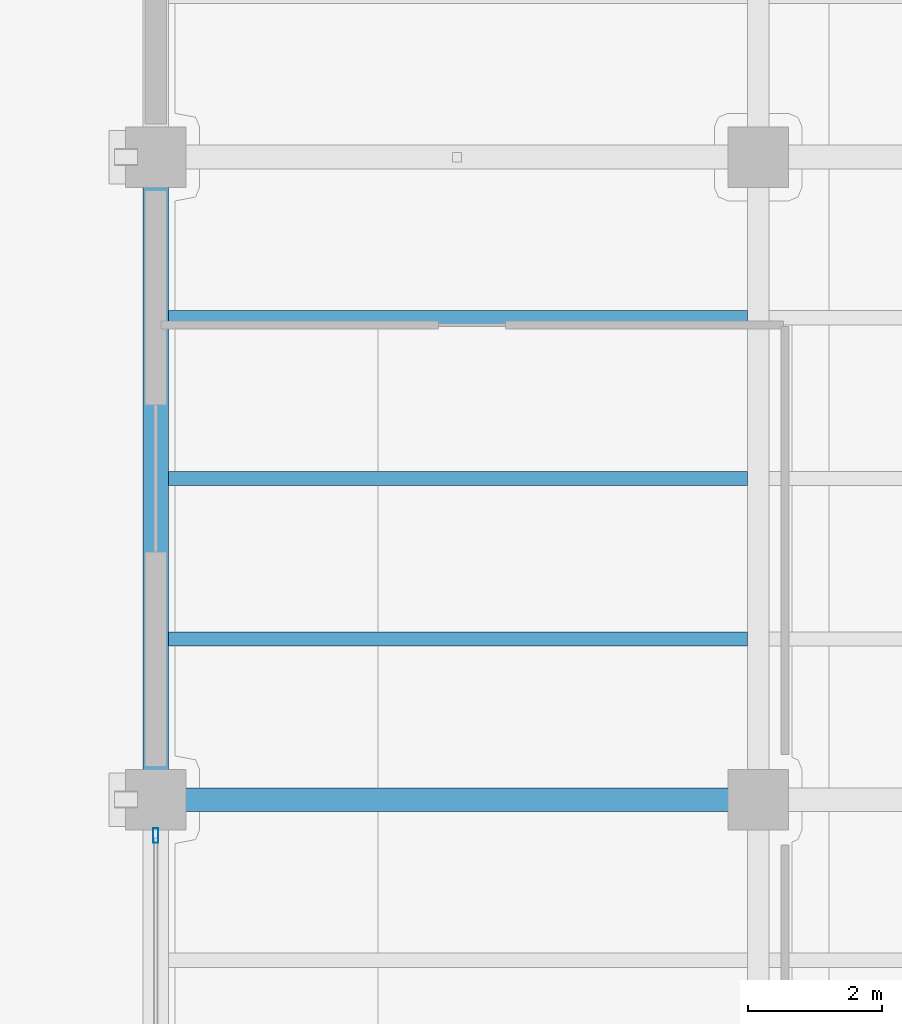
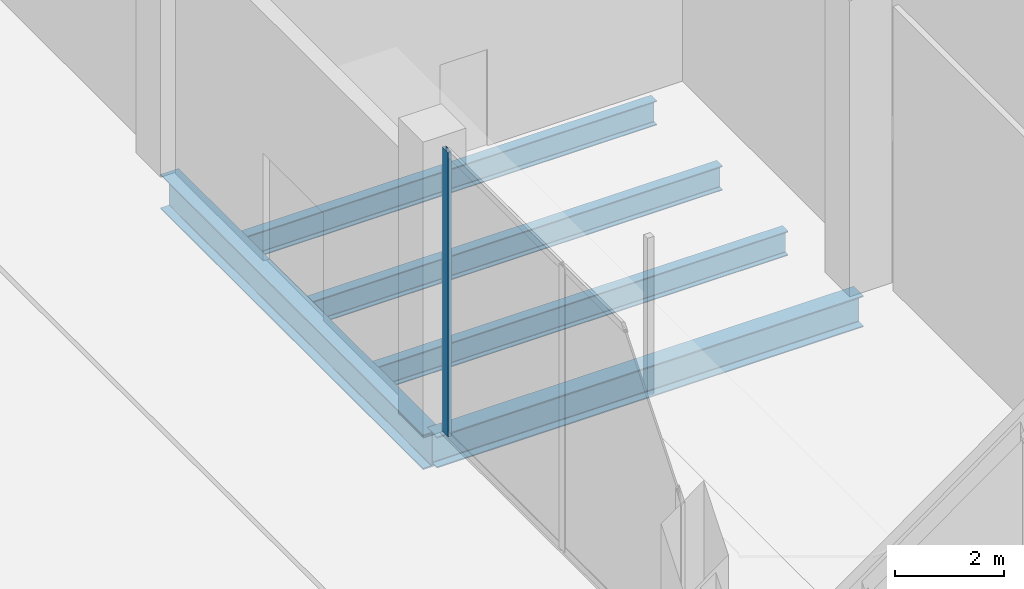
# One storey, part 7 of 45: 5 beams, 1 member, 1 element without a shape of its own.
"""IFC4 building model written with IfcOpenShell, lengths in metres."""

import ifcopenshell
import ifcopenshell.guid

model = None  # the IFC model being written
_history = None  # IfcOwnerHistory: only IFC2X3 demands one
_inside = {}  # id of a spatial element -> (the spatial element, [elements in it])
_under = {}  # id of a project, library or spatial element -> (it, [spatial elements below it])
_declared = {}  # id of a project -> (the project, [libraries it declares])
_typed = {}  # id of a type object -> (the type object, [elements of that type])
_made_of = {}  # id of a material, layer set ... -> (it, [elements and type objects made of it])


def new_model(schema):
    """Start an empty IFC model of exactly this schema.

    Asked for "IFC4X3", IfcOpenShell would pick the latest addendum, in which some entities
    have other attributes; the version numbers below select the first issue.
    IFC2X3 requires an IfcOwnerHistory on every rooted entity: one is made here for all.
    """
    global model, _history
    if schema == "IFC4X3":
        model = ifcopenshell.file(schema_version=(4, 3, 0, 0))
    else:
        model = ifcopenshell.file(schema=schema)
    _inside.clear()
    _under.clear()
    _declared.clear()
    _typed.clear()
    _made_of.clear()
    _history = None
    if model.schema == "IFC2X3":
        org = make("IfcOrganization", Name="unknown")
        user = make(
            "IfcPersonAndOrganization",
            ThePerson=make("IfcPerson", FamilyName="unknown"),
            TheOrganization=org,
        )
        app = make(
            "IfcApplication",
            ApplicationDeveloper=org,
            Version="unknown",
            ApplicationFullName="unknown",
            ApplicationIdentifier="unknown",
        )
        _history = make(
            "IfcOwnerHistory",
            OwningUser=user,
            OwningApplication=app,
            ChangeAction="ADDED",
            CreationDate=0,
        )
    return model


def make(cls, **values):
    """One entity of the class cls with the attributes given. An attribute that is None is left unset."""
    return model.create_entity(
        cls, **{name: value for name, value in values.items() if value is not None}
    )


def rooted(cls, **values):
    """An entity with a GlobalId (a new one), such as an element, a storey or a relation."""
    return make(cls, GlobalId=ifcopenshell.guid.new(), OwnerHistory=_history, **values)


def si_unit(unit_type, name, prefix=None):
    """IfcSIUnit, for example si_unit("LENGTHUNIT", "METRE", prefix="MILLI")."""
    return make("IfcSIUnit", UnitType=unit_type, Prefix=prefix, Name=name)


def assignment(units):
    """IfcUnitAssignment: the units of a project."""
    return None if units is None else make("IfcUnitAssignment", Units=units)


def point(xyz):
    """IfcCartesianPoint."""
    return None if xyz is None else make("IfcCartesianPoint", Coordinates=xyz)


def direction(xyz):
    """IfcDirection."""
    return None if xyz is None else make("IfcDirection", DirectionRatios=xyz)


def frame(location, z_axis=None, x_axis=None):
    """IfcAxis2Placement3D, a coordinate frame: its origin and axes. An axis left out is left unset."""
    return make(
        "IfcAxis2Placement3D",
        Location=point(location),
        Axis=direction(z_axis),
        RefDirection=direction(x_axis),
    )


def frame_2d(location, x_axis=None):
    """IfcAxis2Placement2D, a coordinate frame in the plane: its origin and x axis."""
    return make(
        "IfcAxis2Placement2D", Location=point(location), RefDirection=direction(x_axis)
    )


def origin():
    """The frame at (0, 0, 0) with its axes left unset."""
    return frame((0.0, 0.0, 0.0))


def origin_2d():
    """The frame at (0, 0) in the plane with its x axis left unset."""
    return frame_2d((0.0, 0.0))


def place(relative_to, where):
    """IfcLocalPlacement: puts the frame where relative to a parent placement (None: the world)."""
    return make(
        "IfcLocalPlacement", PlacementRelTo=relative_to, RelativePlacement=where
    )


def context(
    kind, dimensions, precision=None, world=None, true_north=None, identifier=None
):
    """IfcGeometricRepresentationContext, for example the 3D "Model" context."""
    return make(
        "IfcGeometricRepresentationContext",
        ContextIdentifier=identifier,
        ContextType=kind,
        CoordinateSpaceDimension=dimensions,
        Precision=precision,
        WorldCoordinateSystem=world,
        TrueNorth=true_north,
    )


def subcontext(parent, identifier, kind, view, scale=None):
    """IfcGeometricRepresentationSubContext, for example "Body" below "Model"."""
    return make(
        "IfcGeometricRepresentationSubContext",
        ContextIdentifier=identifier,
        ContextType=kind,
        ParentContext=parent,
        TargetScale=scale,
        TargetView=view,
    )


def project(units=None, contexts=None):
    """IfcProject with its units and contexts."""
    return rooted(
        "IfcProject",
        Name="project",
        RepresentationContexts=contexts,
        UnitsInContext=assignment(units),
    )


def spatial(cls, under=None, at=None, **own):
    """A site, building, storey or space (cls), placed at a placement, below another one or the project."""
    s = rooted(cls, ObjectPlacement=at, **own)
    if under is not None:
        _under.setdefault(under.id(), (under, []))[1].append(s)
    return s


def profile(cls, at=None, kind="AREA", **sizes):
    """A parametric profile (cls). Its sizes go by their IFC names, for example OverallWidth=200.0."""
    return make(cls, ProfileType=kind, Position=at, **sizes)


def hollow_rectangle(**sizes):
    """IfcRectangleHollowProfileDef."""
    return profile("IfcRectangleHollowProfileDef", **sizes)


def i_section(**sizes):
    """IfcIShapeProfileDef."""
    return profile("IfcIShapeProfileDef", **sizes)


def extrude(swept, where, along, depth):
    """IfcExtrudedAreaSolid: the profile swept, set in the frame where, extruded along a direction by depth."""
    return make(
        "IfcExtrudedAreaSolid",
        SweptArea=swept,
        Position=where,
        ExtrudedDirection=direction(along),
        Depth=depth,
    )


def shape(context_of_items, identifier, shape_type, items):
    """IfcShapeRepresentation: the items that make up one representation, for example the "Body"."""
    return make(
        "IfcShapeRepresentation",
        ContextOfItems=context_of_items,
        RepresentationIdentifier=identifier,
        RepresentationType=shape_type,
        Items=items,
    )


def material(Name=None, Category=None):
    """IfcMaterial."""
    return make("IfcMaterial", Name=Name, Category=Category)


def layer(
    of_material, thickness, ventilated=None, Name=None, Category=None, Priority=None
):
    """IfcMaterialLayer: one layer of a wall or slab, of a material (None: an air gap)."""
    return make(
        "IfcMaterialLayer",
        Material=of_material,
        LayerThickness=thickness,
        IsVentilated=ventilated,
        Name=Name,
        Category=Category,
        Priority=Priority,
    )


def layer_set(layers, Name=None):
    """IfcMaterialLayerSet."""
    return make("IfcMaterialLayerSet", MaterialLayers=layers, LayerSetName=Name)


def material_profile(
    of_material, cross_section, Name=None, Category=None, Priority=None
):
    """IfcMaterialProfile: a cross section and its material."""
    return make(
        "IfcMaterialProfile",
        Name=Name,
        Material=of_material,
        Profile=cross_section,
        Priority=Priority,
        Category=Category,
    )


def profile_set(profiles, Name=None, composite=None):
    """IfcMaterialProfileSet."""
    return make(
        "IfcMaterialProfileSet",
        Name=Name,
        MaterialProfiles=profiles,
        CompositeProfile=composite,
    )


def made_of(thing, what):
    """Note that an element or type object is made of a material, layer set ...; save() writes the relation."""
    if what is not None:
        _made_of.setdefault(what.id(), (what, []))[1].append(thing)
    return thing


def type_object(cls, material=None, **own):
    """A type object (cls), such as IfcWallType, which elements share."""
    return made_of(rooted(cls, **own), material)


def element(
    cls,
    number,
    at=None,
    inside=None,
    cuts=None,
    type_object=None,
    material=None,
    context=None,
    identifier="Body",
    shape_type=None,
    held_by="IfcProductDefinitionShape",
    body=None,
    shapes=None,
    **own,
):
    """One element of the class cls, such as IfcWall. Its Tag is "e" and its number.

    at: its placement. inside: the storey or other place that contains it. cuts: it is an
    opening in that element (IfcRelVoidsElement). A single representation is given by context,
    identifier, shape_type and body (its items); several are given by shapes. held_by: the class
    of the entity that holds the representations. save() writes the other relations.
    """
    e = rooted(cls, Tag="e%d" % number, ObjectPlacement=at, **own)
    if body is not None:
        shapes = [shape(context, identifier, shape_type, body)]
    if shapes is not None:
        e.Representation = make(held_by, Representations=shapes)
    if inside is not None:
        _inside.setdefault(inside.id(), (inside, []))[1].append(e)
    if cuts is not None:
        rooted(
            "IfcRelVoidsElement", RelatingBuildingElement=cuts, RelatedOpeningElement=e
        )
    if type_object is not None:
        _typed.setdefault(type_object.id(), (type_object, []))[1].append(e)
    return made_of(e, material)


def aggregate(whole, parts):
    """IfcRelAggregates: a whole, such as a stair, and the parts it consists of."""
    return rooted("IfcRelAggregates", RelatingObject=whole, RelatedObjects=parts)


def save(model, path):
    """Write the relations noted so far, then the file.

    IfcRelAggregates (storeys below a building ...), IfcRelContainedInSpatialStructure (elements
    in a storey), IfcRelDefinesByType, IfcRelAssociatesMaterial and IfcRelDeclares: one each for
    every whole, place, type object, material and project.
    """
    for whole, parts in _under.values():
        aggregate(whole, parts)
    for where, things in _inside.values():
        rooted(
            "IfcRelContainedInSpatialStructure",
            RelatedElements=things,
            RelatingStructure=where,
        )
    for kind, things in _typed.values():
        rooted("IfcRelDefinesByType", RelatedObjects=things, RelatingType=kind)
    for what, things in _made_of.values():
        rooted("IfcRelAssociatesMaterial", RelatedObjects=things, RelatingMaterial=what)
    for by, libraries in _declared.values():
        rooted("IfcRelDeclares", RelatingContext=by, RelatedDefinitions=libraries)
    model.write(path)


model = new_model("IFC4")

# Units and contexts
model_context = context("Model", 3, precision=1e-05, world=origin(), true_north=direction((0.0, 1.0)))
body_context = subcontext(model_context, "Body", "Model", "MODEL_VIEW")
ifc_project = project(units=[si_unit("LENGTHUNIT", "METRE"), si_unit("AREAUNIT", "SQUARE_METRE"), si_unit("VOLUMEUNIT", "CUBIC_METRE"), si_unit("PLANEANGLEUNIT", "RADIAN"), si_unit("MASSUNIT", "GRAM", prefix="KILO")], contexts=[model_context])

# Site, building, storey
site_placement = place(None, origin())
site = spatial("IfcSite", under=ifc_project, at=site_placement, CompositionType="ELEMENT")
building_placement = place(site_placement, origin())
building = spatial("IfcBuilding", under=site, at=building_placement, Name="Qorvath Tower", CompositionType="ELEMENT")
storey_placement = place(building_placement, origin())
storey = spatial("IfcBuildingStorey", under=building, at=storey_placement, Name="L00", CompositionType="ELEMENT", Elevation=0.0)

# Beams
ifc_material_1 = material(Name="Steel ASTM A992 Grade 50", Category="steel")
ifc_material_profile_1 = material_profile(ifc_material_1, i_section(OverallWidth=0.381103515625, OverallDepth=0.77294921875, WebThickness=0.0166015625, FlangeThickness=0.027099609375, FilletRadius=0.01904296875, at=origin_2d()), Name="W30x173")
ifc_profile_set_1 = profile_set([ifc_material_profile_1], Name="Steel ASTM A992 Grade 50")
beam_type_1 = type_object("IfcBeamType", Name="BM-FG3", PredefinedType="BEAM", material=ifc_profile_set_1)
beam_1_placement = place(storey_placement, frame((32.39990234375, -9.60009765625, -0.6865234375), z_axis=(0.0, 1.0, 0.0), x_axis=(-1.0, 0.0, 0.0)))
element("IfcBeam", 1, at=beam_1_placement, inside=storey, type_object=beam_type_1, Name="Library N-S Girder L00-1-4", PredefinedType="BEAM", context=body_context, shape_type="SweptSolid", body=[
    extrude(i_section(OverallWidth=0.381103515625, OverallDepth=0.77294921875, WebThickness=0.0166015625, FlangeThickness=0.027099609375, FilletRadius=0.01904296875, at=origin_2d()), origin(), (0.0, 0.0, 1.0), 9.60009765625),
])
ifc_material_2 = material(Name="Steel ASTM A992 Grade 50", Category="steel")
ifc_material_profile_2 = material_profile(ifc_material_2, i_section(OverallWidth=0.35595703125, OverallDepth=0.696044921875, WebThickness=0.015380859375, FlangeThickness=0.02490234375, FilletRadius=0.01806640625, at=origin_2d()), Name="W27x146")
ifc_profile_set_2 = profile_set([ifc_material_profile_2], Name="Steel ASTM A992 Grade 50")
beam_type_2 = type_object("IfcBeamType", Name="BM-FG4", PredefinedType="BEAM", material=ifc_profile_set_2)
beam_2_placement = place(storey_placement, frame((32.39990234375, -9.60009765625, -0.64794921875), z_axis=(1.0, 0.0, 0.0), x_axis=(0.0, 1.0, 0.0)))
element("IfcBeam", 2, at=beam_2_placement, inside=storey, type_object=beam_type_2, Name="Library E-W Girder L00-4-1", PredefinedType="BEAM", context=body_context, shape_type="SweptSolid", body=[
    extrude(i_section(OverallWidth=0.35595703125, OverallDepth=0.696044921875, WebThickness=0.015380859375, FlangeThickness=0.02490234375, FilletRadius=0.01806640625, at=origin_2d()), origin(), (0.0, 0.0, 1.0), 9.0),
])
ifc_material_3 = material(Name="Steel ASTM A992 Grade 50", Category="steel")
ifc_material_profile_3 = material_profile(ifc_material_3, i_section(OverallWidth=0.2119140625, OverallDepth=0.5439453125, WebThickness=0.01318359375, FlangeThickness=0.021240234375, FilletRadius=0.013916015625, at=origin_2d()), Name="W21x83")
ifc_profile_set_3 = profile_set([ifc_material_profile_3], Name="Steel ASTM A992 Grade 50")
beam_type_3 = type_object("IfcBeamType", Name="BM-FJ1", PredefinedType="JOIST", material=ifc_profile_set_3)
for number, where, z_axis, x_axis, name in (
    (3, (32.58837890625, -7.199951171875, -0.572021484375), (1.0, 0.0, 0.0), (0.0, 1.0, 0.0), "Library Stack Joist L00-4.1-1"),
    (4, (32.58837890625, -4.800048828125, -0.572021484375), (1.0, 0.0, 0.0), (0.0, 1.0, 0.0), "Library Stack Joist L00-4.2-1"),
    (5, (32.58837890625, -2.39990234375, -0.572021484375), (1.0, 0.0, 0.0), (0.0, 1.0, 0.0), "Library Stack Joist L00-4.3-1"),
):
    element("IfcBeam", number, at=place(storey_placement, frame(where, z_axis=z_axis, x_axis=x_axis)), inside=storey, type_object=beam_type_3, Name=name, PredefinedType="JOIST", context=body_context, shape_type="SweptSolid", body=[
        extrude(i_section(OverallWidth=0.2119140625, OverallDepth=0.5439453125, WebThickness=0.01318359375, FlangeThickness=0.021240234375, FilletRadius=0.013916015625, at=origin_2d()), origin(), (0.0, 0.0, 1.0), 8.651123046875),
    ])

# Curtain wall, member
ifc_material_4 = material(Name="Anodised aluminium and triple low-E glass", Category="aluminium")
ifc_layer = layer(ifc_material_4, 0.179931640625)
ifc_layer_set = layer_set([ifc_layer], Name="CW-SYS-6")
curtain_wall_type = type_object("IfcCurtainWallType", Name="CW-SYS-6", PredefinedType="NOTDEFINED", material=ifc_layer_set)
curtain_wall_placement = place(storey_placement, origin())
curtain_wall = element("IfcCurtainWall", 6, at=curtain_wall_placement, inside=storey, type_object=curtain_wall_type, Name="Curtain Wall CW-6 CW-LIB-W-L00-3", PredefinedType="NOTDEFINED")
ifc_material_5 = material(Name="Anodised aluminium 6063-T6", Category="aluminium")
ifc_material_profile_4 = material_profile(ifc_material_5, hollow_rectangle(XDim=0.080078125, YDim=0.219970703125, WallThickness=0.00439453125, InnerFilletRadius=0.00439453125, OuterFilletRadius=0.009033203125, at=origin_2d()), Name="CWM LIB 220x80")
ifc_profile_set_4 = profile_set([ifc_material_profile_4], Name="Anodised aluminium 6063-T6")
member_type = type_object("IfcMemberType", Name="CWM-LIB", PredefinedType="MULLION", material=ifc_profile_set_4)
member_placement = place(storey_placement, frame((32.39990234375, -10.135009765625, 0.0), z_axis=(0.0, 0.0, 1.0), x_axis=(-1.0, 0.0, 0.0)))
member = element("IfcMember", 7, at=member_placement, type_object=member_type, Name="CW-6 mullion 3", PredefinedType="MULLION", context=body_context, shape_type="SweptSolid", body=[
    extrude(hollow_rectangle(XDim=0.080078125, YDim=0.219970703125, WallThickness=0.00439453125, InnerFilletRadius=0.00439453125, OuterFilletRadius=0.009033203125, at=origin_2d()), origin(), (0.0, 0.0, 1.0), 6.340087890625),
])
aggregate(curtain_wall, [member])

save(model, "model.ifc")
